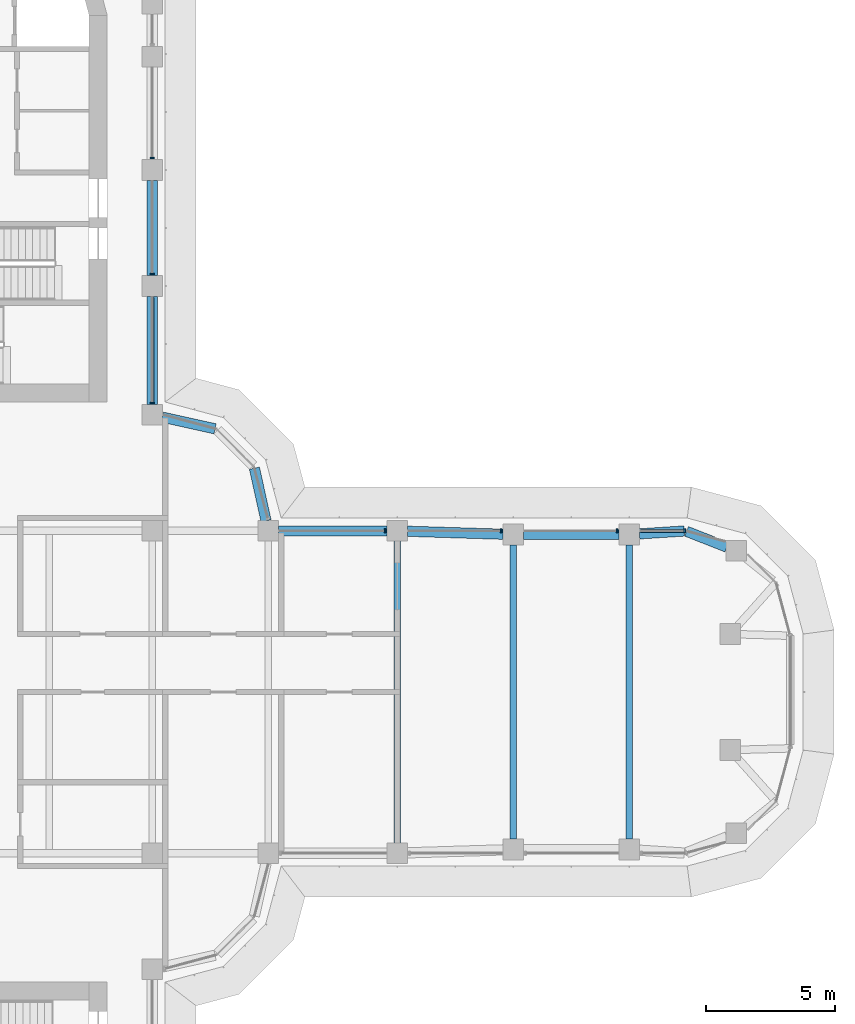
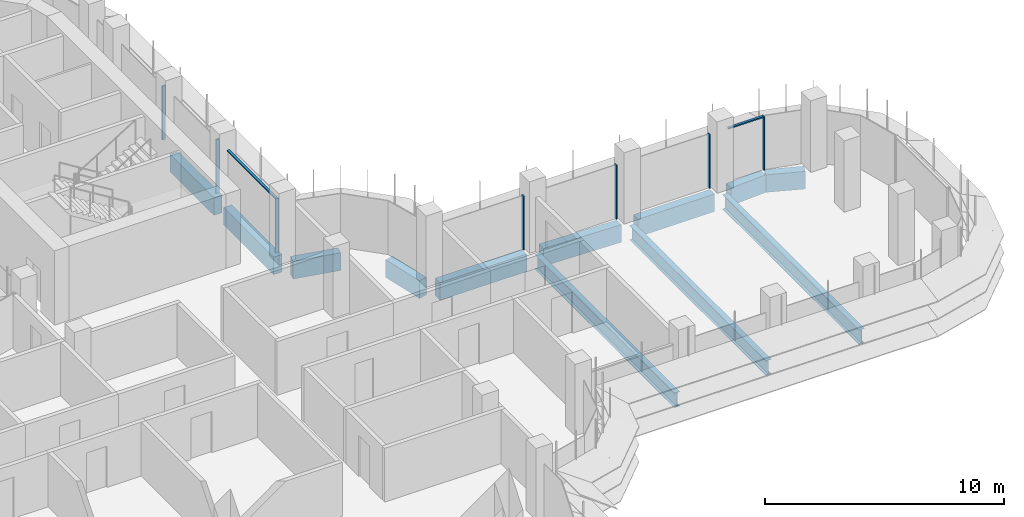
# One storey, part 8 of 20: 12 beams, 9 members, 2 elements without a shape of their own.
"""IFC4 building model written with IfcOpenShell, lengths in metres."""

from ifc_helpers import new_model, si_unit, direction, frame, origin, origin_2d, place, context, subcontext, project, spatial, polyline, rectangle, i_section, outline, extrude, source, transform, mapped, material, material_profile, profile_set, type_object, element, aggregate, save


model = new_model("IFC4")

# Units and contexts
model_context = context("Model", 3, precision=1e-05, world=origin(), true_north=direction((0.0, 1.0)))
body_context = subcontext(model_context, "Body", "Model", "MODEL_VIEW")
ifc_project = project(units=[si_unit("LENGTHUNIT", "METRE"), si_unit("AREAUNIT", "SQUARE_METRE"), si_unit("VOLUMEUNIT", "CUBIC_METRE"), si_unit("PLANEANGLEUNIT", "RADIAN"), si_unit("MASSUNIT", "GRAM", prefix="KILO")], contexts=[model_context])

# Site, building, storey
site_placement = place(None, origin())
site = spatial("IfcSite", under=ifc_project, at=site_placement, CompositionType="ELEMENT")
building_placement = place(site_placement, origin())
building = spatial("IfcBuilding", under=site, at=building_placement, Name="Zarbagh Exchange Tower", CompositionType="ELEMENT")
storey_placement = place(building_placement, frame((0.0, 0.0, 144.800048828125)))
storey = spatial("IfcBuildingStorey", under=building, at=storey_placement, Name="L34", CompositionType="ELEMENT", Elevation=144.800048828125)

# Beams
ifc_material_1 = material(Name="Steel ASTM A992 Gr 50", Category="steel")
ifc_material_profile_1 = material_profile(ifc_material_1, i_section(OverallWidth=0.26416015625, OverallDepth=0.749267578125, WebThickness=0.011962890625, FlangeThickness=0.015380859375, at=origin_2d()), Name="W30X90")
ifc_profile_set_1 = profile_set([ifc_material_profile_1], Name="Steel ASTM A992 Gr 50")
beam_type_1 = type_object("IfcBeamType", Name="Floor beam W30X90", PredefinedType="BEAM", material=ifc_profile_set_1)
beam_1_placement = place(storey_placement, frame((15.75, -5.85009765625, -0.524658203125), z_axis=(0.0, 1.0, 0.0), x_axis=(-1.0, 0.0, 0.0)))
element("IfcBeam", 1, at=beam_1_placement, inside=storey, type_object=beam_type_1, Name="Steel floor beam", PredefinedType="BEAM", context=body_context, shape_type="SweptSolid", body=[
    extrude(i_section(OverallWidth=0.26416015625, OverallDepth=0.749267578125, WebThickness=0.011962890625, FlangeThickness=0.015380859375, at=origin_2d()), origin(), (0.0, 0.0, 1.0), 11.7001953125),
])
for number, where, z_axis, x_axis, name in (
    (2, (20.25, -5.7099609375, -0.524658203125), (0.0, 1.0, 0.0), (-1.0, 0.0, 0.0), "Steel floor beam"),
    (3, (24.75, -5.7099609375, -0.524658203125), (0.0, 1.0, 0.0), (-1.0, 0.0, 0.0), "Steel floor beam"),
):
    element("IfcBeam", number, at=place(storey_placement, frame(where, z_axis=z_axis, x_axis=x_axis)), inside=storey, type_object=beam_type_1, Name=name, PredefinedType="BEAM", context=body_context, shape_type="SweptSolid", body=[
        extrude(i_section(OverallWidth=0.26416015625, OverallDepth=0.749267578125, WebThickness=0.011962890625, FlangeThickness=0.015380859375, at=origin_2d()), origin(), (0.0, 0.0, 1.0), 11.419921875),
    ])
ifc_material_2 = material(Name="Concrete C50/60", Category="concrete")
ifc_material_profile_2 = material_profile(ifc_material_2, rectangle(XDim=0.39990234375, YDim=0.89990234375, at=origin_2d()), Name="RC spandrel beam 400 x 900 C50/60")
ifc_profile_set_2 = profile_set([ifc_material_profile_2], Name="Concrete C50/60")
beam_type_2 = type_object("IfcBeamType", Name="RC spandrel beam 400 x 900 C50/60", PredefinedType="SPANDREL", material=ifc_profile_set_2)
beam_2_placement = place(storey_placement, frame((6.25, 19.85009765625, -0.60009765625), z_axis=(0.0, -1.0, 0.0), x_axis=(1.0, 0.0, 0.0)))
element("IfcBeam", 4, at=beam_2_placement, inside=storey, type_object=beam_type_2, Name="RC spandrel beam", PredefinedType="SPANDREL", context=body_context, shape_type="SweptSolid", body=[
    extrude(rectangle(XDim=0.39990234375, YDim=0.89990234375, at=origin_2d()), origin(), (0.0, 0.0, 1.0), 3.7001953125),
])
beam_3_placement = place(storey_placement, frame((6.25, 15.35009765625, -0.60009765625), z_axis=(0.0, -1.0, 0.0), x_axis=(1.0, 0.0, 0.0)))
element("IfcBeam", 5, at=beam_3_placement, inside=storey, type_object=beam_type_2, Name="RC spandrel beam", PredefinedType="SPANDREL", context=body_context, shape_type="SweptSolid", body=[
    extrude(rectangle(XDim=0.39990234375, YDim=0.89990234375, at=origin_2d()), origin(), (0.0, 0.0, 1.0), 4.2001953125),
])
for number, where, z_axis, x_axis, name in (
    (6, (6.640625, 10.66357421875, -0.60009765625), (0.976384278741, -0.216041061437, 0.0), (0.216041061437, 0.976384278741, 0.0), "RC spandrel beam"),
    (7, (10.21142578125, 8.68408203125, -0.60009765625), (0.216041061437, -0.976384278741, 0.0), (0.976384278741, 0.216041061437, 0.0), "RC spandrel beam"),
):
    element("IfcBeam", number, at=place(storey_placement, frame(where, z_axis=z_axis, x_axis=x_axis)), inside=storey, type_object=beam_type_2, Name=name, PredefinedType="SPANDREL", context=body_context, shape_type="SweptSolid", body=[
        extrude(rectangle(XDim=0.39990234375, YDim=0.89990234375, at=origin_2d()), origin(), (0.0, 0.0, 1.0), 2.0927734375),
    ])
beam_4_placement = place(storey_placement, frame((11.14990234375, 6.25, -0.60009765625), z_axis=(1.0, 0.0, 0.0), x_axis=(0.0, 1.0, 0.0)))
element("IfcBeam", 8, at=beam_4_placement, inside=storey, type_object=beam_type_2, Name="RC spandrel beam", PredefinedType="SPANDREL", context=body_context, shape_type="SweptSolid", body=[
    extrude(rectangle(XDim=0.39990234375, YDim=0.89990234375, at=origin_2d()), origin(), (0.0, 0.0, 1.0), 4.2001953125),
])
beam_5_placement = place(storey_placement, frame((16.14990234375, 6.237548828125, -0.60009765625), z_axis=(0.999515416033, -0.031127690444, 0.0), x_axis=(0.031127690444, 0.999515416033, 0.0)))
element("IfcBeam", 9, at=beam_5_placement, inside=storey, type_object=beam_type_2, Name="RC spandrel beam", PredefinedType="SPANDREL", context=body_context, shape_type="SweptSolid", body=[
    extrude(rectangle(XDim=0.39990234375, YDim=0.89990234375, at=origin_2d()), origin(), (0.0, 0.0, 1.0), 3.701904296875),
])
beam_6_placement = place(storey_placement, frame((20.64990234375, 6.110107421875, -0.60009765625), z_axis=(1.0, 0.0, 0.0), x_axis=(0.0, 1.0, 0.0)))
element("IfcBeam", 10, at=beam_6_placement, inside=storey, type_object=beam_type_2, Name="RC spandrel beam", PredefinedType="SPANDREL", context=body_context, shape_type="SweptSolid", body=[
    extrude(rectangle(XDim=0.39990234375, YDim=0.89990234375, at=origin_2d()), origin(), (0.0, 0.0, 1.0), 3.7001953125),
])
beam_7_placement = place(storey_placement, frame((25.149169921875, 6.135498046875, -0.60009765625), z_axis=(0.997942679773, 0.064112462805, 0.0), x_axis=(-0.064112462805, 0.997942679773, 0.0)))
element("IfcBeam", 11, at=beam_7_placement, inside=storey, type_object=beam_type_2, Name="RC spandrel beam", PredefinedType="SPANDREL", context=body_context, shape_type="SweptSolid", body=[
    extrude(rectangle(XDim=0.39990234375, YDim=0.89990234375, at=origin_2d()), origin(), (0.0, 0.0, 1.0), 1.744140625),
])
beam_8_placement = place(storey_placement, frame((26.9755859375, 6.233642578125, -0.60009765625), z_axis=(0.930818758612, -0.36548110569, 0.0), x_axis=(0.36548110569, 0.930818758612, 0.0)))
element("IfcBeam", 12, at=beam_8_placement, inside=storey, type_object=beam_type_2, Name="RC spandrel beam", PredefinedType="SPANDREL", context=body_context, shape_type="SweptSolid", body=[
    extrude(rectangle(XDim=0.39990234375, YDim=0.89990234375, at=origin_2d()), origin(), (0.0, 0.0, 1.0), 1.676025390625),
])

# Curtain wall, members
ifc_material_3 = material(Name="Anodised aluminium frame and glazing", Category="aluminium")
curtain_wall_type = type_object("IfcCurtainWallType", Name="CWB Ribbon glazing, upper zones", PredefinedType="NOTDEFINED", material=ifc_material_3)
curtain_wall_1_placement = place(storey_placement, origin())
curtain_wall_1 = element("IfcCurtainWall", 13, at=curtain_wall_1_placement, inside=storey, type_object=curtain_wall_type, Name="CWB16 curtain wall", PredefinedType="NOTDEFINED")
ifc_material_4 = material(Name="Anodised aluminium frame", Category="aluminium")
member_type_1 = type_object("IfcMemberType", Name="TRB Transom, anodised aluminium frame", PredefinedType="USERDEFINED", material=ifc_material_4)
shared_shape_1 = source(origin(), body_context, "Body", "SweptSolid", [
    extrude(outline(polyline([(-0.06005859375, -0.06005859375), (0.0, -0.06005859375), (0.0, 0.06005859375), (-0.06005859375, 0.06005859375), (-0.06005859375, -0.06005859375)])), origin(), (0.0, 0.0, 1.0), 1.68408203125),
])
placement = place(storey_placement, origin())
member_1 = element("IfcMember", 14, at=placement, type_object=member_type_1, Name="CWB16 transom 1.1", ObjectType="TRANSOM", PredefinedType="USERDEFINED", context=body_context, shape_type="MappedRepresentation", body=[
    mapped(shared_shape_1, transform((26.874267578125, 6.25, 2.75), x_axis=(0.0, 0.0, 1.0), y_axis=(0.0, 1.0, 0.0), z_axis=(-1.0, 0.0, 0.0))),
])
member_type_2 = type_object("IfcMemberType", Name="MUB Mullion, anodised aluminium frame", PredefinedType="MULLION", material=ifc_material_4)
shared_shape_2 = source(origin(), body_context, "Body", "SweptSolid", [
    extrude(outline(polyline([(0.0, -0.080078125), (0.06005859375, -0.080078125), (0.06005859375, 0.080078125), (0.0, 0.080078125), (0.0, -0.080078125)])), origin(), (0.0, 0.0, 1.0), 2.75),
])
member_2 = element("IfcMember", 15, at=placement, type_object=member_type_2, Name="CWB16 mullion 1.1", PredefinedType="MULLION", context=body_context, shape_type="MappedRepresentation", body=[
    mapped(shared_shape_2, transform((26.93408203125, 6.25, 0.0), x_axis=(-1.0, 0.0, 0.0), y_axis=(0.0, -1.0, 0.0), z_axis=(0.0, 0.0, 1.0))),
])
member_3 = element("IfcMember", 16, at=placement, type_object=member_type_2, Name="CWB16 mullion 2.1", PredefinedType="MULLION", context=body_context, shape_type="MappedRepresentation", body=[
    mapped(shared_shape_2, transform((24.31005859375, 6.25, 0.0), x_axis=(-1.0, 0.0, 0.0), y_axis=(0.0, -1.0, 0.0), z_axis=(0.0, 0.0, 1.0))),
])
member_4 = element("IfcMember", 17, at=placement, type_object=member_type_2, Name="CWB16 mullion 3.1", PredefinedType="MULLION", context=body_context, shape_type="MappedRepresentation", body=[
    mapped(shared_shape_2, transform((19.81005859375, 6.25, 0.0), x_axis=(-1.0, 0.0, 0.0), y_axis=(0.0, -1.0, 0.0), z_axis=(0.0, 0.0, 1.0))),
])
member_5 = element("IfcMember", 18, at=placement, type_object=member_type_2, Name="CWB16 mullion 4.1", PredefinedType="MULLION", context=body_context, shape_type="MappedRepresentation", body=[
    mapped(shared_shape_2, transform((15.31005859375, 6.25, 0.0), x_axis=(-1.0, 0.0, 0.0), y_axis=(0.0, -1.0, 0.0), z_axis=(0.0, 0.0, 1.0))),
])
aggregate(curtain_wall_1, [member_2, member_1, member_3, member_4, member_5])

curtain_wall_2_placement = place(storey_placement, origin())
curtain_wall_2 = element("IfcCurtainWall", 19, at=curtain_wall_2_placement, inside=storey, type_object=curtain_wall_type, Name="CWB20 curtain wall", PredefinedType="NOTDEFINED")
member_6 = element("IfcMember", 20, at=placement, type_object=member_type_2, Name="CWB20 mullion 1.1", PredefinedType="MULLION", context=body_context, shape_type="MappedRepresentation", body=[
    mapped(shared_shape_2, transform((6.25, 11.18994140625, 0.0), x_axis=(0.0, 1.0, 0.0), y_axis=(-1.0, 0.0, 0.0), z_axis=(0.0, 0.0, 1.0))),
])
member_7 = element("IfcMember", 21, at=placement, type_object=member_type_2, Name="CWB20 mullion 2.1", PredefinedType="MULLION", context=body_context, shape_type="MappedRepresentation", body=[
    mapped(shared_shape_2, transform((6.25, 16.18994140625, 0.0), x_axis=(0.0, 1.0, 0.0), y_axis=(-1.0, 0.0, 0.0), z_axis=(0.0, 0.0, 1.0))),
])
member_8 = element("IfcMember", 22, at=placement, type_object=member_type_2, Name="CWB20 mullion 3.1", PredefinedType="MULLION", context=body_context, shape_type="MappedRepresentation", body=[
    mapped(shared_shape_2, transform((6.25, 20.68994140625, 0.0), x_axis=(0.0, 1.0, 0.0), y_axis=(-1.0, 0.0, 0.0), z_axis=(0.0, 0.0, 1.0))),
])
shared_shape_3 = source(origin(), body_context, "Body", "SweptSolid", [
    extrude(outline(polyline([(-0.06005859375, -0.06005859375), (0.0, -0.06005859375), (0.0, 0.06005859375), (-0.06005859375, 0.06005859375), (-0.06005859375, -0.06005859375)])), origin(), (0.0, 0.0, 1.0), 4.06005859375),
])
member_9 = element("IfcMember", 23, at=placement, type_object=member_type_1, Name="CWB20 transom 1.1", ObjectType="TRANSOM", PredefinedType="USERDEFINED", context=body_context, shape_type="MappedRepresentation", body=[
    mapped(shared_shape_3, transform((6.25, 11.25, 2.75), x_axis=(0.0, 0.0, 1.0), y_axis=(1.0, 0.0, 0.0), z_axis=(0.0, 1.0, 0.0))),
])
aggregate(curtain_wall_2, [member_6, member_9, member_7, member_8])

save(model, "model.ifc")
